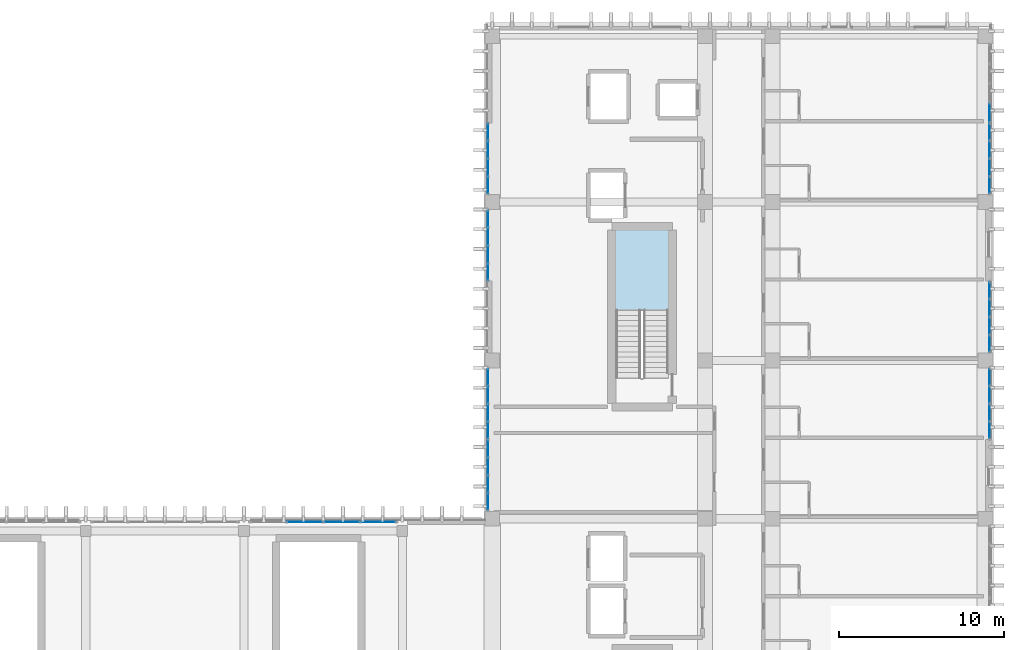
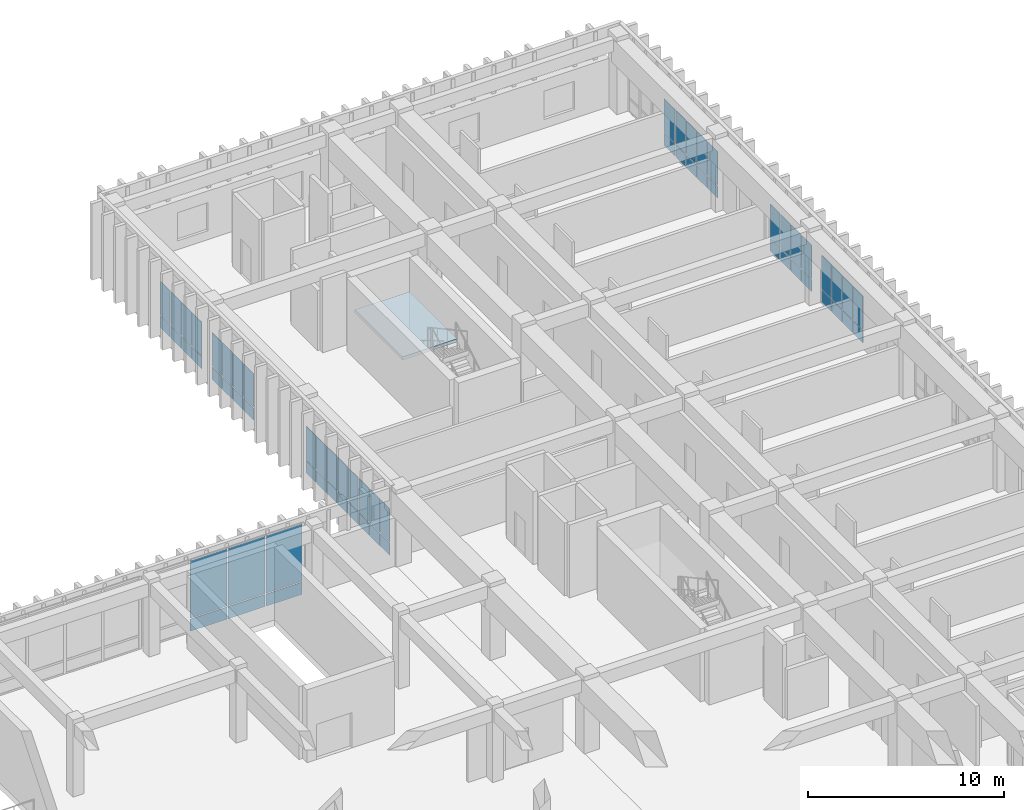
# One storey, part 70 of 101: 64 plates, 1 slab, 10 elements without a shape of their own.
"""IFC4 building model written with IfcOpenShell, lengths in metres."""

import ifcopenshell
import ifcopenshell.guid

model = None  # the IFC model being written
_history = None  # IfcOwnerHistory: only IFC2X3 demands one
_inside = {}  # id of a spatial element -> (the spatial element, [elements in it])
_under = {}  # id of a project, library or spatial element -> (it, [spatial elements below it])
_declared = {}  # id of a project -> (the project, [libraries it declares])
_typed = {}  # id of a type object -> (the type object, [elements of that type])
_made_of = {}  # id of a material, layer set ... -> (it, [elements and type objects made of it])


def new_model(schema):
    """Start an empty IFC model of exactly this schema.

    Asked for "IFC4X3", IfcOpenShell would pick the latest addendum, in which some entities
    have other attributes; the version numbers below select the first issue.
    IFC2X3 requires an IfcOwnerHistory on every rooted entity: one is made here for all.
    """
    global model, _history
    if schema == "IFC4X3":
        model = ifcopenshell.file(schema_version=(4, 3, 0, 0))
    else:
        model = ifcopenshell.file(schema=schema)
    _inside.clear()
    _under.clear()
    _declared.clear()
    _typed.clear()
    _made_of.clear()
    _history = None
    if model.schema == "IFC2X3":
        org = make("IfcOrganization", Name="unknown")
        user = make(
            "IfcPersonAndOrganization",
            ThePerson=make("IfcPerson", FamilyName="unknown"),
            TheOrganization=org,
        )
        app = make(
            "IfcApplication",
            ApplicationDeveloper=org,
            Version="unknown",
            ApplicationFullName="unknown",
            ApplicationIdentifier="unknown",
        )
        _history = make(
            "IfcOwnerHistory",
            OwningUser=user,
            OwningApplication=app,
            ChangeAction="ADDED",
            CreationDate=0,
        )
    return model


def make(cls, **values):
    """One entity of the class cls with the attributes given. An attribute that is None is left unset."""
    return model.create_entity(
        cls, **{name: value for name, value in values.items() if value is not None}
    )


def rooted(cls, **values):
    """An entity with a GlobalId (a new one), such as an element, a storey or a relation."""
    return make(cls, GlobalId=ifcopenshell.guid.new(), OwnerHistory=_history, **values)


def si_unit(unit_type, name, prefix=None):
    """IfcSIUnit, for example si_unit("LENGTHUNIT", "METRE", prefix="MILLI")."""
    return make("IfcSIUnit", UnitType=unit_type, Prefix=prefix, Name=name)


def assignment(units):
    """IfcUnitAssignment: the units of a project."""
    return None if units is None else make("IfcUnitAssignment", Units=units)


def point(xyz):
    """IfcCartesianPoint."""
    return None if xyz is None else make("IfcCartesianPoint", Coordinates=xyz)


def direction(xyz):
    """IfcDirection."""
    return None if xyz is None else make("IfcDirection", DirectionRatios=xyz)


def frame(location, z_axis=None, x_axis=None):
    """IfcAxis2Placement3D, a coordinate frame: its origin and axes. An axis left out is left unset."""
    return make(
        "IfcAxis2Placement3D",
        Location=point(location),
        Axis=direction(z_axis),
        RefDirection=direction(x_axis),
    )


def frame_2d(location, x_axis=None):
    """IfcAxis2Placement2D, a coordinate frame in the plane: its origin and x axis."""
    return make(
        "IfcAxis2Placement2D", Location=point(location), RefDirection=direction(x_axis)
    )


def origin():
    """The frame at (0, 0, 0) with its axes left unset."""
    return frame((0.0, 0.0, 0.0))


def origin_2d():
    """The frame at (0, 0) in the plane with its x axis left unset."""
    return frame_2d((0.0, 0.0))


def place(relative_to, where):
    """IfcLocalPlacement: puts the frame where relative to a parent placement (None: the world)."""
    return make(
        "IfcLocalPlacement", PlacementRelTo=relative_to, RelativePlacement=where
    )


def context(
    kind, dimensions, precision=None, world=None, true_north=None, identifier=None
):
    """IfcGeometricRepresentationContext, for example the 3D "Model" context."""
    return make(
        "IfcGeometricRepresentationContext",
        ContextIdentifier=identifier,
        ContextType=kind,
        CoordinateSpaceDimension=dimensions,
        Precision=precision,
        WorldCoordinateSystem=world,
        TrueNorth=true_north,
    )


def subcontext(parent, identifier, kind, view, scale=None):
    """IfcGeometricRepresentationSubContext, for example "Body" below "Model"."""
    return make(
        "IfcGeometricRepresentationSubContext",
        ContextIdentifier=identifier,
        ContextType=kind,
        ParentContext=parent,
        TargetScale=scale,
        TargetView=view,
    )


def project(units=None, contexts=None):
    """IfcProject with its units and contexts."""
    return rooted(
        "IfcProject",
        Name="project",
        RepresentationContexts=contexts,
        UnitsInContext=assignment(units),
    )


def spatial(cls, under=None, at=None, **own):
    """A site, building, storey or space (cls), placed at a placement, below another one or the project."""
    s = rooted(cls, ObjectPlacement=at, **own)
    if under is not None:
        _under.setdefault(under.id(), (under, []))[1].append(s)
    return s


def polyline(points):
    """IfcPolyline through the points."""
    return make("IfcPolyline", Points=[point(p) for p in points])


def profile(cls, at=None, kind="AREA", **sizes):
    """A parametric profile (cls). Its sizes go by their IFC names, for example OverallWidth=200.0."""
    return make(cls, ProfileType=kind, Position=at, **sizes)


def rectangle(**sizes):
    """IfcRectangleProfileDef."""
    return profile("IfcRectangleProfileDef", **sizes)


def outline(outer, holes=None, kind="AREA"):
    """IfcArbitraryClosedProfileDef: a profile drawn as a closed curve; with holes, ...WithVoids."""
    if holes is None:
        return make("IfcArbitraryClosedProfileDef", ProfileType=kind, OuterCurve=outer)
    return make(
        "IfcArbitraryProfileDefWithVoids",
        ProfileType=kind,
        OuterCurve=outer,
        InnerCurves=holes,
    )


def extrude(swept, where, along, depth):
    """IfcExtrudedAreaSolid: the profile swept, set in the frame where, extruded along a direction by depth."""
    return make(
        "IfcExtrudedAreaSolid",
        SweptArea=swept,
        Position=where,
        ExtrudedDirection=direction(along),
        Depth=depth,
    )


def shape(context_of_items, identifier, shape_type, items):
    """IfcShapeRepresentation: the items that make up one representation, for example the "Body"."""
    return make(
        "IfcShapeRepresentation",
        ContextOfItems=context_of_items,
        RepresentationIdentifier=identifier,
        RepresentationType=shape_type,
        Items=items,
    )


def material(Name=None, Category=None):
    """IfcMaterial."""
    return make("IfcMaterial", Name=Name, Category=Category)


def layer(
    of_material, thickness, ventilated=None, Name=None, Category=None, Priority=None
):
    """IfcMaterialLayer: one layer of a wall or slab, of a material (None: an air gap)."""
    return make(
        "IfcMaterialLayer",
        Material=of_material,
        LayerThickness=thickness,
        IsVentilated=ventilated,
        Name=Name,
        Category=Category,
        Priority=Priority,
    )


def layer_set(layers, Name=None):
    """IfcMaterialLayerSet."""
    return make("IfcMaterialLayerSet", MaterialLayers=layers, LayerSetName=Name)


def made_of(thing, what):
    """Note that an element or type object is made of a material, layer set ...; save() writes the relation."""
    if what is not None:
        _made_of.setdefault(what.id(), (what, []))[1].append(thing)
    return thing


def type_object(cls, material=None, **own):
    """A type object (cls), such as IfcWallType, which elements share."""
    return made_of(rooted(cls, **own), material)


def element(
    cls,
    number,
    at=None,
    inside=None,
    cuts=None,
    type_object=None,
    material=None,
    context=None,
    identifier="Body",
    shape_type=None,
    held_by="IfcProductDefinitionShape",
    body=None,
    shapes=None,
    **own,
):
    """One element of the class cls, such as IfcWall. Its Tag is "e" and its number.

    at: its placement. inside: the storey or other place that contains it. cuts: it is an
    opening in that element (IfcRelVoidsElement). A single representation is given by context,
    identifier, shape_type and body (its items); several are given by shapes. held_by: the class
    of the entity that holds the representations. save() writes the other relations.
    """
    e = rooted(cls, Tag="e%d" % number, ObjectPlacement=at, **own)
    if body is not None:
        shapes = [shape(context, identifier, shape_type, body)]
    if shapes is not None:
        e.Representation = make(held_by, Representations=shapes)
    if inside is not None:
        _inside.setdefault(inside.id(), (inside, []))[1].append(e)
    if cuts is not None:
        rooted(
            "IfcRelVoidsElement", RelatingBuildingElement=cuts, RelatedOpeningElement=e
        )
    if type_object is not None:
        _typed.setdefault(type_object.id(), (type_object, []))[1].append(e)
    return made_of(e, material)


def aggregate(whole, parts):
    """IfcRelAggregates: a whole, such as a stair, and the parts it consists of."""
    return rooted("IfcRelAggregates", RelatingObject=whole, RelatedObjects=parts)


def save(model, path):
    """Write the relations noted so far, then the file.

    IfcRelAggregates (storeys below a building ...), IfcRelContainedInSpatialStructure (elements
    in a storey), IfcRelDefinesByType, IfcRelAssociatesMaterial and IfcRelDeclares: one each for
    every whole, place, type object, material and project.
    """
    for whole, parts in _under.values():
        aggregate(whole, parts)
    for where, things in _inside.values():
        rooted(
            "IfcRelContainedInSpatialStructure",
            RelatedElements=things,
            RelatingStructure=where,
        )
    for kind, things in _typed.values():
        rooted("IfcRelDefinesByType", RelatedObjects=things, RelatingType=kind)
    for what, things in _made_of.values():
        rooted("IfcRelAssociatesMaterial", RelatedObjects=things, RelatingMaterial=what)
    for by, libraries in _declared.values():
        rooted("IfcRelDeclares", RelatingContext=by, RelatedDefinitions=libraries)
    model.write(path)


model = new_model("IFC4")

# Units and contexts
model_context = context("Model", 3, precision=1e-05, world=origin(), true_north=direction((0.0, 1.0)))
body_context = subcontext(model_context, "Body", "Model", "MODEL_VIEW")
ifc_project = project(units=[si_unit("LENGTHUNIT", "METRE"), si_unit("AREAUNIT", "SQUARE_METRE"), si_unit("VOLUMEUNIT", "CUBIC_METRE"), si_unit("PLANEANGLEUNIT", "RADIAN"), si_unit("MASSUNIT", "GRAM", prefix="KILO")], contexts=[model_context])

# Site, building, storey
site_placement = place(None, origin())
site = spatial("IfcSite", under=ifc_project, at=site_placement, CompositionType="ELEMENT")
building_placement = place(site_placement, origin())
building = spatial("IfcBuilding", under=site, at=building_placement, Name="Nakhvara Creek Congress Hotel", CompositionType="ELEMENT")
storey_placement = place(building_placement, frame((0.0, 0.0, 16.199951171875)))
storey = spatial("IfcBuildingStorey", under=building, at=storey_placement, Name="L03", CompositionType="ELEMENT", Elevation=16.199951171875)

# Curtain wall, plates
ifc_material_1 = material(Name="Bronze-anodised aluminium AW-6063-T6 and double-silver low-E glass", Category="aluminium")
ifc_layer_1 = layer(ifc_material_1, 0.199951171875)
ifc_layer_set_1 = layer_set([ifc_layer_1], Name="Bronze-anodised aluminium AW-6063-T6 and double-silver low-E glass")
curtain_wall_type_1 = type_object("IfcCurtainWallType", Name="CW-HTL-UNIT", PredefinedType="USERDEFINED", material=ifc_layer_set_1)
curtain_wall_1_placement = place(storey_placement, origin())
curtain_wall_1 = element("IfcCurtainWall", 1, at=curtain_wall_1_placement, inside=storey, type_object=curtain_wall_type_1, Name="Curtain Wall CW164", ObjectType="UNITISED", PredefinedType="USERDEFINED")
ifc_material_2 = material(Name="Double-silver solar-control low-E insulated glass", Category="glass")
plate_type_1 = type_object("IfcPlateType", Name="PNL-GLZ-120X250", PredefinedType="CURTAIN_PANEL", material=ifc_material_2)
plate_1_placement = place(storey_placement, frame((149.199951171875, 97.023193359375, 0.065185546875), z_axis=(0.0, 0.0, 1.0), x_axis=(0.0, 1.0, 0.0)))
plate_1 = element("IfcPlate", 2, at=plate_1_placement, type_object=plate_type_1, Name="CW164 panel 1.1", PredefinedType="CURTAIN_PANEL", context=body_context, shape_type="SweptSolid", body=[
    extrude(rectangle(XDim=0.986328125, YDim=0.028076171875, at=origin_2d()), origin(), (0.0, 0.0, 1.0), 0.75244140625),
])
plate_2_placement = place(storey_placement, frame((149.199951171875, 97.023193359375, 0.882568359375), z_axis=(0.0, 0.0, 1.0), x_axis=(0.0, 1.0, 0.0)))
plate_2 = element("IfcPlate", 3, at=plate_2_placement, type_object=plate_type_1, Name="CW164 panel 1.2", PredefinedType="CURTAIN_PANEL", context=body_context, shape_type="SweptSolid", body=[
    extrude(rectangle(XDim=0.986328125, YDim=0.028076171875, at=origin_2d()), origin(), (0.0, 0.0, 1.0), 2.08447265625),
])
plate_3_placement = place(storey_placement, frame((149.199951171875, 98.090576171875, 0.065185546875), z_axis=(0.0, 0.0, 1.0), x_axis=(0.0, 1.0, 0.0)))
plate_3 = element("IfcPlate", 4, at=plate_3_placement, type_object=plate_type_1, Name="CW164 panel 2.1", PredefinedType="CURTAIN_PANEL", context=body_context, shape_type="SweptSolid", body=[
    extrude(rectangle(XDim=1.018798828125, YDim=0.028076171875, at=origin_2d()), origin(), (0.0, 0.0, 1.0), 0.75244140625),
])
plate_4_placement = place(storey_placement, frame((149.199951171875, 98.090576171875, 0.882568359375), z_axis=(0.0, 0.0, 1.0), x_axis=(0.0, 1.0, 0.0)))
plate_4 = element("IfcPlate", 5, at=plate_4_placement, type_object=plate_type_1, Name="CW164 panel 2.2", PredefinedType="CURTAIN_PANEL", context=body_context, shape_type="SweptSolid", body=[
    extrude(rectangle(XDim=1.018798828125, YDim=0.028076171875, at=origin_2d()), origin(), (0.0, 0.0, 1.0), 2.08447265625),
])
plate_5_placement = place(storey_placement, frame((149.199951171875, 99.17431640625, 0.065185546875), z_axis=(0.0, 0.0, 1.0), x_axis=(0.0, 1.0, 0.0)))
plate_5 = element("IfcPlate", 6, at=plate_5_placement, type_object=plate_type_1, Name="CW164 panel 3.1", PredefinedType="CURTAIN_PANEL", context=body_context, shape_type="SweptSolid", body=[
    extrude(rectangle(XDim=1.018798828125, YDim=0.028076171875, at=origin_2d()), origin(), (0.0, 0.0, 1.0), 0.75244140625),
])
plate_6_placement = place(storey_placement, frame((149.199951171875, 99.17431640625, 0.882568359375), z_axis=(0.0, 0.0, 1.0), x_axis=(0.0, 1.0, 0.0)))
plate_6 = element("IfcPlate", 7, at=plate_6_placement, type_object=plate_type_1, Name="CW164 panel 3.2", PredefinedType="CURTAIN_PANEL", context=body_context, shape_type="SweptSolid", body=[
    extrude(rectangle(XDim=1.018798828125, YDim=0.028076171875, at=origin_2d()), origin(), (0.0, 0.0, 1.0), 2.08447265625),
])
plate_7_placement = place(storey_placement, frame((149.199951171875, 100.241943359375, 0.065185546875), z_axis=(0.0, 0.0, 1.0), x_axis=(0.0, 1.0, 0.0)))
plate_7 = element("IfcPlate", 8, at=plate_7_placement, type_object=plate_type_1, Name="CW164 panel 4.1", PredefinedType="CURTAIN_PANEL", context=body_context, shape_type="SweptSolid", body=[
    extrude(rectangle(XDim=0.986328125, YDim=0.028076171875, at=origin_2d()), origin(), (0.0, 0.0, 1.0), 0.75244140625),
])
plate_8_placement = place(storey_placement, frame((149.199951171875, 100.241943359375, 0.882568359375), z_axis=(0.0, 0.0, 1.0), x_axis=(0.0, 1.0, 0.0)))
plate_8 = element("IfcPlate", 9, at=plate_8_placement, type_object=plate_type_1, Name="CW164 panel 4.2", PredefinedType="CURTAIN_PANEL", context=body_context, shape_type="SweptSolid", body=[
    extrude(rectangle(XDim=0.986328125, YDim=0.028076171875, at=origin_2d()), origin(), (0.0, 0.0, 1.0), 2.08447265625),
])
aggregate(curtain_wall_1, [plate_1, plate_2, plate_3, plate_4, plate_5, plate_6, plate_7, plate_8])

curtain_wall_2_placement = place(storey_placement, origin())
curtain_wall_2 = element("IfcCurtainWall", 10, at=curtain_wall_2_placement, inside=storey, type_object=curtain_wall_type_1, Name="Curtain Wall CW167", ObjectType="UNITISED", PredefinedType="USERDEFINED")
plate_9_placement = place(storey_placement, frame((179.60009765625, 109.841796875, 0.065185546875), z_axis=(0.0, 0.0, 1.0), x_axis=(0.0, -1.0, 0.0)))
plate_9 = element("IfcPlate", 11, at=plate_9_placement, type_object=plate_type_1, Name="CW167 panel 1.1", PredefinedType="CURTAIN_PANEL", context=body_context, shape_type="SweptSolid", body=[
    extrude(rectangle(XDim=0.986328125, YDim=0.028076171875, at=origin_2d()), origin(), (0.0, 0.0, 1.0), 0.75244140625),
])
plate_10_placement = place(storey_placement, frame((179.60009765625, 109.841796875, 0.882568359375), z_axis=(0.0, 0.0, 1.0), x_axis=(0.0, -1.0, 0.0)))
plate_10 = element("IfcPlate", 12, at=plate_10_placement, type_object=plate_type_1, Name="CW167 panel 1.2", PredefinedType="CURTAIN_PANEL", context=body_context, shape_type="SweptSolid", body=[
    extrude(rectangle(XDim=0.986328125, YDim=0.028076171875, at=origin_2d()), origin(), (0.0, 0.0, 1.0), 2.08447265625),
])
plate_11_placement = place(storey_placement, frame((179.60009765625, 108.7744140625, 0.065185546875), z_axis=(0.0, 0.0, 1.0), x_axis=(0.0, -1.0, 0.0)))
plate_11 = element("IfcPlate", 13, at=plate_11_placement, type_object=plate_type_1, Name="CW167 panel 2.1", PredefinedType="CURTAIN_PANEL", context=body_context, shape_type="SweptSolid", body=[
    extrude(rectangle(XDim=1.018798828125, YDim=0.028076171875, at=origin_2d()), origin(), (0.0, 0.0, 1.0), 0.75244140625),
])
plate_12_placement = place(storey_placement, frame((179.60009765625, 108.7744140625, 0.882568359375), z_axis=(0.0, 0.0, 1.0), x_axis=(0.0, -1.0, 0.0)))
plate_12 = element("IfcPlate", 14, at=plate_12_placement, type_object=plate_type_1, Name="CW167 panel 2.2", PredefinedType="CURTAIN_PANEL", context=body_context, shape_type="SweptSolid", body=[
    extrude(rectangle(XDim=1.018798828125, YDim=0.028076171875, at=origin_2d()), origin(), (0.0, 0.0, 1.0), 2.08447265625),
])
plate_13_placement = place(storey_placement, frame((179.60009765625, 107.690673828125, 0.065185546875), z_axis=(0.0, 0.0, 1.0), x_axis=(0.0, -1.0, 0.0)))
plate_13 = element("IfcPlate", 15, at=plate_13_placement, type_object=plate_type_1, Name="CW167 panel 3.1", PredefinedType="CURTAIN_PANEL", context=body_context, shape_type="SweptSolid", body=[
    extrude(rectangle(XDim=1.018798828125, YDim=0.028076171875, at=origin_2d()), origin(), (0.0, 0.0, 1.0), 0.75244140625),
])
plate_14_placement = place(storey_placement, frame((179.60009765625, 107.690673828125, 0.882568359375), z_axis=(0.0, 0.0, 1.0), x_axis=(0.0, -1.0, 0.0)))
plate_14 = element("IfcPlate", 16, at=plate_14_placement, type_object=plate_type_1, Name="CW167 panel 3.2", PredefinedType="CURTAIN_PANEL", context=body_context, shape_type="SweptSolid", body=[
    extrude(rectangle(XDim=1.018798828125, YDim=0.028076171875, at=origin_2d()), origin(), (0.0, 0.0, 1.0), 2.08447265625),
])
plate_15_placement = place(storey_placement, frame((179.60009765625, 106.623046875, 0.065185546875), z_axis=(0.0, 0.0, 1.0), x_axis=(0.0, -1.0, 0.0)))
plate_15 = element("IfcPlate", 17, at=plate_15_placement, type_object=plate_type_1, Name="CW167 panel 4.1", PredefinedType="CURTAIN_PANEL", context=body_context, shape_type="SweptSolid", body=[
    extrude(rectangle(XDim=0.986328125, YDim=0.028076171875, at=origin_2d()), origin(), (0.0, 0.0, 1.0), 0.75244140625),
])
plate_16_placement = place(storey_placement, frame((179.60009765625, 106.623046875, 0.882568359375), z_axis=(0.0, 0.0, 1.0), x_axis=(0.0, -1.0, 0.0)))
plate_16 = element("IfcPlate", 18, at=plate_16_placement, type_object=plate_type_1, Name="CW167 panel 4.2", PredefinedType="CURTAIN_PANEL", context=body_context, shape_type="SweptSolid", body=[
    extrude(rectangle(XDim=0.986328125, YDim=0.028076171875, at=origin_2d()), origin(), (0.0, 0.0, 1.0), 2.08447265625),
])
aggregate(curtain_wall_2, [plate_9, plate_10, plate_11, plate_12, plate_13, plate_14, plate_15, plate_16])

curtain_wall_3_placement = place(storey_placement, origin())
curtain_wall_3 = element("IfcCurtainWall", 19, at=curtain_wall_3_placement, inside=storey, type_object=curtain_wall_type_1, Name="Curtain Wall CW168", ObjectType="UNITISED", PredefinedType="USERDEFINED")
plate_17_placement = place(storey_placement, frame((149.199951171875, 110.9580078125, 0.065185546875), z_axis=(0.0, 0.0, 1.0), x_axis=(0.0, 1.0, 0.0)))
plate_17 = element("IfcPlate", 20, at=plate_17_placement, type_object=plate_type_1, Name="CW168 panel 1.1", PredefinedType="CURTAIN_PANEL", context=body_context, shape_type="SweptSolid", body=[
    extrude(rectangle(XDim=0.986328125, YDim=0.028076171875, at=origin_2d()), origin(), (0.0, 0.0, 1.0), 0.75244140625),
])
plate_18_placement = place(storey_placement, frame((149.199951171875, 110.9580078125, 0.882568359375), z_axis=(0.0, 0.0, 1.0), x_axis=(0.0, 1.0, 0.0)))
plate_18 = element("IfcPlate", 21, at=plate_18_placement, type_object=plate_type_1, Name="CW168 panel 1.2", PredefinedType="CURTAIN_PANEL", context=body_context, shape_type="SweptSolid", body=[
    extrude(rectangle(XDim=0.986328125, YDim=0.028076171875, at=origin_2d()), origin(), (0.0, 0.0, 1.0), 2.08447265625),
])
plate_19_placement = place(storey_placement, frame((149.199951171875, 112.025634765625, 0.065185546875), z_axis=(0.0, 0.0, 1.0), x_axis=(0.0, 1.0, 0.0)))
plate_19 = element("IfcPlate", 22, at=plate_19_placement, type_object=plate_type_1, Name="CW168 panel 2.1", PredefinedType="CURTAIN_PANEL", context=body_context, shape_type="SweptSolid", body=[
    extrude(rectangle(XDim=1.018798828125, YDim=0.028076171875, at=origin_2d()), origin(), (0.0, 0.0, 1.0), 0.75244140625),
])
plate_20_placement = place(storey_placement, frame((149.199951171875, 112.025634765625, 0.882568359375), z_axis=(0.0, 0.0, 1.0), x_axis=(0.0, 1.0, 0.0)))
plate_20 = element("IfcPlate", 23, at=plate_20_placement, type_object=plate_type_1, Name="CW168 panel 2.2", PredefinedType="CURTAIN_PANEL", context=body_context, shape_type="SweptSolid", body=[
    extrude(rectangle(XDim=1.018798828125, YDim=0.028076171875, at=origin_2d()), origin(), (0.0, 0.0, 1.0), 2.08447265625),
])
plate_21_placement = place(storey_placement, frame((149.199951171875, 113.109375, 0.065185546875), z_axis=(0.0, 0.0, 1.0), x_axis=(0.0, 1.0, 0.0)))
plate_21 = element("IfcPlate", 24, at=plate_21_placement, type_object=plate_type_1, Name="CW168 panel 3.1", PredefinedType="CURTAIN_PANEL", context=body_context, shape_type="SweptSolid", body=[
    extrude(rectangle(XDim=1.018798828125, YDim=0.028076171875, at=origin_2d()), origin(), (0.0, 0.0, 1.0), 0.75244140625),
])
plate_22_placement = place(storey_placement, frame((149.199951171875, 113.109375, 0.882568359375), z_axis=(0.0, 0.0, 1.0), x_axis=(0.0, 1.0, 0.0)))
plate_22 = element("IfcPlate", 25, at=plate_22_placement, type_object=plate_type_1, Name="CW168 panel 3.2", PredefinedType="CURTAIN_PANEL", context=body_context, shape_type="SweptSolid", body=[
    extrude(rectangle(XDim=1.018798828125, YDim=0.028076171875, at=origin_2d()), origin(), (0.0, 0.0, 1.0), 2.08447265625),
])
plate_23_placement = place(storey_placement, frame((149.199951171875, 114.1767578125, 0.065185546875), z_axis=(0.0, 0.0, 1.0), x_axis=(0.0, 1.0, 0.0)))
plate_23 = element("IfcPlate", 26, at=plate_23_placement, type_object=plate_type_1, Name="CW168 panel 4.1", PredefinedType="CURTAIN_PANEL", context=body_context, shape_type="SweptSolid", body=[
    extrude(rectangle(XDim=0.986328125, YDim=0.028076171875, at=origin_2d()), origin(), (0.0, 0.0, 1.0), 0.75244140625),
])
plate_24_placement = place(storey_placement, frame((149.199951171875, 114.1767578125, 0.882568359375), z_axis=(0.0, 0.0, 1.0), x_axis=(0.0, 1.0, 0.0)))
plate_24 = element("IfcPlate", 27, at=plate_24_placement, type_object=plate_type_1, Name="CW168 panel 4.2", PredefinedType="CURTAIN_PANEL", context=body_context, shape_type="SweptSolid", body=[
    extrude(rectangle(XDim=0.986328125, YDim=0.028076171875, at=origin_2d()), origin(), (0.0, 0.0, 1.0), 2.08447265625),
])
aggregate(curtain_wall_3, [plate_17, plate_18, plate_19, plate_20, plate_21, plate_22, plate_23, plate_24])

curtain_wall_4_placement = place(storey_placement, origin())
curtain_wall_4 = element("IfcCurtainWall", 28, at=curtain_wall_4_placement, inside=storey, type_object=curtain_wall_type_1, Name="Curtain Wall CW169", ObjectType="UNITISED", PredefinedType="USERDEFINED")
plate_25_placement = place(storey_placement, frame((179.60009765625, 119.44189453125, 0.065185546875), z_axis=(0.0, 0.0, 1.0), x_axis=(0.0, -1.0, 0.0)))
plate_25 = element("IfcPlate", 29, at=plate_25_placement, type_object=plate_type_1, Name="CW169 panel 1.1", PredefinedType="CURTAIN_PANEL", context=body_context, shape_type="SweptSolid", body=[
    extrude(rectangle(XDim=0.986328125, YDim=0.028076171875, at=origin_2d()), origin(), (0.0, 0.0, 1.0), 0.75244140625),
])
plate_26_placement = place(storey_placement, frame((179.60009765625, 119.44189453125, 0.882568359375), z_axis=(0.0, 0.0, 1.0), x_axis=(0.0, -1.0, 0.0)))
plate_26 = element("IfcPlate", 30, at=plate_26_placement, type_object=plate_type_1, Name="CW169 panel 1.2", PredefinedType="CURTAIN_PANEL", context=body_context, shape_type="SweptSolid", body=[
    extrude(rectangle(XDim=0.986328125, YDim=0.028076171875, at=origin_2d()), origin(), (0.0, 0.0, 1.0), 2.08447265625),
])
plate_27_placement = place(storey_placement, frame((179.60009765625, 118.374267578125, 0.065185546875), z_axis=(0.0, 0.0, 1.0), x_axis=(0.0, -1.0, 0.0)))
plate_27 = element("IfcPlate", 31, at=plate_27_placement, type_object=plate_type_1, Name="CW169 panel 2.1", PredefinedType="CURTAIN_PANEL", context=body_context, shape_type="SweptSolid", body=[
    extrude(rectangle(XDim=1.018798828125, YDim=0.028076171875, at=origin_2d()), origin(), (0.0, 0.0, 1.0), 0.75244140625),
])
plate_28_placement = place(storey_placement, frame((179.60009765625, 118.374267578125, 0.882568359375), z_axis=(0.0, 0.0, 1.0), x_axis=(0.0, -1.0, 0.0)))
plate_28 = element("IfcPlate", 32, at=plate_28_placement, type_object=plate_type_1, Name="CW169 panel 2.2", PredefinedType="CURTAIN_PANEL", context=body_context, shape_type="SweptSolid", body=[
    extrude(rectangle(XDim=1.018798828125, YDim=0.028076171875, at=origin_2d()), origin(), (0.0, 0.0, 1.0), 2.08447265625),
])
plate_29_placement = place(storey_placement, frame((179.60009765625, 117.29052734375, 0.065185546875), z_axis=(0.0, 0.0, 1.0), x_axis=(0.0, -1.0, 0.0)))
plate_29 = element("IfcPlate", 33, at=plate_29_placement, type_object=plate_type_1, Name="CW169 panel 3.1", PredefinedType="CURTAIN_PANEL", context=body_context, shape_type="SweptSolid", body=[
    extrude(rectangle(XDim=1.018798828125, YDim=0.028076171875, at=origin_2d()), origin(), (0.0, 0.0, 1.0), 0.75244140625),
])
plate_30_placement = place(storey_placement, frame((179.60009765625, 117.29052734375, 0.882568359375), z_axis=(0.0, 0.0, 1.0), x_axis=(0.0, -1.0, 0.0)))
plate_30 = element("IfcPlate", 34, at=plate_30_placement, type_object=plate_type_1, Name="CW169 panel 3.2", PredefinedType="CURTAIN_PANEL", context=body_context, shape_type="SweptSolid", body=[
    extrude(rectangle(XDim=1.018798828125, YDim=0.028076171875, at=origin_2d()), origin(), (0.0, 0.0, 1.0), 2.08447265625),
])
plate_31_placement = place(storey_placement, frame((179.60009765625, 116.22314453125, 0.065185546875), z_axis=(0.0, 0.0, 1.0), x_axis=(0.0, -1.0, 0.0)))
plate_31 = element("IfcPlate", 35, at=plate_31_placement, type_object=plate_type_1, Name="CW169 panel 4.1", PredefinedType="CURTAIN_PANEL", context=body_context, shape_type="SweptSolid", body=[
    extrude(rectangle(XDim=0.986328125, YDim=0.028076171875, at=origin_2d()), origin(), (0.0, 0.0, 1.0), 0.75244140625),
])
plate_32_placement = place(storey_placement, frame((179.60009765625, 116.22314453125, 0.882568359375), z_axis=(0.0, 0.0, 1.0), x_axis=(0.0, -1.0, 0.0)))
plate_32 = element("IfcPlate", 36, at=plate_32_placement, type_object=plate_type_1, Name="CW169 panel 4.2", PredefinedType="CURTAIN_PANEL", context=body_context, shape_type="SweptSolid", body=[
    extrude(rectangle(XDim=0.986328125, YDim=0.028076171875, at=origin_2d()), origin(), (0.0, 0.0, 1.0), 2.08447265625),
])
aggregate(curtain_wall_4, [plate_25, plate_26, plate_27, plate_28, plate_29, plate_30, plate_31, plate_32])

curtain_wall_5_placement = place(storey_placement, origin())
curtain_wall_5 = element("IfcCurtainWall", 37, at=curtain_wall_5_placement, inside=storey, type_object=curtain_wall_type_1, Name="Curtain Wall CW170", ObjectType="UNITISED", PredefinedType="USERDEFINED")
plate_33_placement = place(storey_placement, frame((149.199951171875, 116.22314453125, 0.065185546875), z_axis=(0.0, 0.0, 1.0), x_axis=(0.0, 1.0, 0.0)))
plate_33 = element("IfcPlate", 38, at=plate_33_placement, type_object=plate_type_1, Name="CW170 panel 1.1", PredefinedType="CURTAIN_PANEL", context=body_context, shape_type="SweptSolid", body=[
    extrude(rectangle(XDim=0.986328125, YDim=0.028076171875, at=origin_2d()), origin(), (0.0, 0.0, 1.0), 0.75244140625),
])
plate_34_placement = place(storey_placement, frame((149.199951171875, 116.22314453125, 0.882568359375), z_axis=(0.0, 0.0, 1.0), x_axis=(0.0, 1.0, 0.0)))
plate_34 = element("IfcPlate", 39, at=plate_34_placement, type_object=plate_type_1, Name="CW170 panel 1.2", PredefinedType="CURTAIN_PANEL", context=body_context, shape_type="SweptSolid", body=[
    extrude(rectangle(XDim=0.986328125, YDim=0.028076171875, at=origin_2d()), origin(), (0.0, 0.0, 1.0), 2.08447265625),
])
plate_35_placement = place(storey_placement, frame((149.199951171875, 117.29052734375, 0.065185546875), z_axis=(0.0, 0.0, 1.0), x_axis=(0.0, 1.0, 0.0)))
plate_35 = element("IfcPlate", 40, at=plate_35_placement, type_object=plate_type_1, Name="CW170 panel 2.1", PredefinedType="CURTAIN_PANEL", context=body_context, shape_type="SweptSolid", body=[
    extrude(rectangle(XDim=1.018798828125, YDim=0.028076171875, at=origin_2d()), origin(), (0.0, 0.0, 1.0), 0.75244140625),
])
plate_36_placement = place(storey_placement, frame((149.199951171875, 117.29052734375, 0.882568359375), z_axis=(0.0, 0.0, 1.0), x_axis=(0.0, 1.0, 0.0)))
plate_36 = element("IfcPlate", 41, at=plate_36_placement, type_object=plate_type_1, Name="CW170 panel 2.2", PredefinedType="CURTAIN_PANEL", context=body_context, shape_type="SweptSolid", body=[
    extrude(rectangle(XDim=1.018798828125, YDim=0.028076171875, at=origin_2d()), origin(), (0.0, 0.0, 1.0), 2.08447265625),
])
plate_37_placement = place(storey_placement, frame((149.199951171875, 118.374267578125, 0.065185546875), z_axis=(0.0, 0.0, 1.0), x_axis=(0.0, 1.0, 0.0)))
plate_37 = element("IfcPlate", 42, at=plate_37_placement, type_object=plate_type_1, Name="CW170 panel 3.1", PredefinedType="CURTAIN_PANEL", context=body_context, shape_type="SweptSolid", body=[
    extrude(rectangle(XDim=1.018798828125, YDim=0.028076171875, at=origin_2d()), origin(), (0.0, 0.0, 1.0), 0.75244140625),
])
plate_38_placement = place(storey_placement, frame((149.199951171875, 118.374267578125, 0.882568359375), z_axis=(0.0, 0.0, 1.0), x_axis=(0.0, 1.0, 0.0)))
plate_38 = element("IfcPlate", 43, at=plate_38_placement, type_object=plate_type_1, Name="CW170 panel 3.2", PredefinedType="CURTAIN_PANEL", context=body_context, shape_type="SweptSolid", body=[
    extrude(rectangle(XDim=1.018798828125, YDim=0.028076171875, at=origin_2d()), origin(), (0.0, 0.0, 1.0), 2.08447265625),
])
plate_39_placement = place(storey_placement, frame((149.199951171875, 119.44189453125, 0.065185546875), z_axis=(0.0, 0.0, 1.0), x_axis=(0.0, 1.0, 0.0)))
plate_39 = element("IfcPlate", 44, at=plate_39_placement, type_object=plate_type_1, Name="CW170 panel 4.1", PredefinedType="CURTAIN_PANEL", context=body_context, shape_type="SweptSolid", body=[
    extrude(rectangle(XDim=0.986328125, YDim=0.028076171875, at=origin_2d()), origin(), (0.0, 0.0, 1.0), 0.75244140625),
])
plate_40_placement = place(storey_placement, frame((149.199951171875, 119.44189453125, 0.882568359375), z_axis=(0.0, 0.0, 1.0), x_axis=(0.0, 1.0, 0.0)))
plate_40 = element("IfcPlate", 45, at=plate_40_placement, type_object=plate_type_1, Name="CW170 panel 4.2", PredefinedType="CURTAIN_PANEL", context=body_context, shape_type="SweptSolid", body=[
    extrude(rectangle(XDim=0.986328125, YDim=0.028076171875, at=origin_2d()), origin(), (0.0, 0.0, 1.0), 2.08447265625),
])
aggregate(curtain_wall_5, [plate_33, plate_34, plate_35, plate_36, plate_37, plate_38, plate_39, plate_40])

curtain_wall_6_placement = place(storey_placement, origin())
curtain_wall_6 = element("IfcCurtainWall", 46, at=curtain_wall_6_placement, inside=storey, type_object=curtain_wall_type_1, Name="Curtain Wall CW171", ObjectType="UNITISED", PredefinedType="USERDEFINED")
plate_41_placement = place(storey_placement, frame((179.60009765625, 120.6142578125, 0.065185546875), z_axis=(0.0, 0.0, 1.0), x_axis=(0.0, -1.0, 0.0)))
plate_41 = element("IfcPlate", 47, at=plate_41_placement, type_object=plate_type_1, Name="CW171 panel 4.1", PredefinedType="CURTAIN_PANEL", context=body_context, shape_type="SweptSolid", body=[
    extrude(rectangle(XDim=1.0986328125, YDim=0.028076171875, at=origin_2d()), origin(), (0.0, 0.0, 1.0), 0.75244140625),
])
plate_42_placement = place(storey_placement, frame((179.60009765625, 120.6142578125, 0.882568359375), z_axis=(0.0, 0.0, 1.0), x_axis=(0.0, -1.0, 0.0)))
plate_42 = element("IfcPlate", 48, at=plate_42_placement, type_object=plate_type_1, Name="CW171 panel 4.2", PredefinedType="CURTAIN_PANEL", context=body_context, shape_type="SweptSolid", body=[
    extrude(rectangle(XDim=1.0986328125, YDim=0.028076171875, at=origin_2d()), origin(), (0.0, 0.0, 1.0), 2.08447265625),
])
aggregate(curtain_wall_6, [plate_41, plate_42])

ifc_layer_2 = layer(ifc_material_1, 0.199951171875)
ifc_layer_set_2 = layer_set([ifc_layer_2], Name="Bronze-anodised aluminium AW-6063-T6 and double-silver low-E glass")
curtain_wall_type_2 = type_object("IfcCurtainWallType", Name="CW-POD-STICK", PredefinedType="NOTDEFINED", material=ifc_layer_set_2)
curtain_wall_7_placement = place(storey_placement, origin())
curtain_wall_7 = element("IfcCurtainWall", 49, at=curtain_wall_7_placement, inside=storey, type_object=curtain_wall_type_2, Name="Curtain Wall CW105", PredefinedType="NOTDEFINED")
plate_type_2 = type_object("IfcPlateType", Name="PNL-GLZ-240X260", PredefinedType="CURTAIN_PANEL", material=ifc_material_2)
plate_43_placement = place(storey_placement, frame((138.0849609375, 95.800048828125, 0.065185546875), z_axis=(0.0, 0.0, 1.0), x_axis=(1.0, 0.0, 0.0)))
plate_43 = element("IfcPlate", 50, at=plate_43_placement, type_object=plate_type_2, Name="CW105 panel 2.1", PredefinedType="CURTAIN_PANEL", context=body_context, shape_type="SweptSolid", body=[
    extrude(rectangle(XDim=2.1650390625, YDim=0.030029296875, at=origin_2d()), origin(), (0.0, 0.0, 1.0), 0.75244140625),
])
plate_44_placement = place(storey_placement, frame((138.0849609375, 95.800048828125, 0.882568359375), z_axis=(0.0, 0.0, 1.0), x_axis=(1.0, 0.0, 0.0)))
plate_44 = element("IfcPlate", 51, at=plate_44_placement, type_object=plate_type_2, Name="CW105 panel 2.2", PredefinedType="CURTAIN_PANEL", context=body_context, shape_type="SweptSolid", body=[
    extrude(rectangle(XDim=2.1650390625, YDim=0.030029296875, at=origin_2d()), origin(), (0.0, 0.0, 1.0), 3.5625),
])
plate_45_placement = place(storey_placement, frame((140.31494140625, 95.800048828125, 0.065185546875), z_axis=(0.0, 0.0, 1.0), x_axis=(1.0, 0.0, 0.0)))
plate_45 = element("IfcPlate", 52, at=plate_45_placement, type_object=plate_type_2, Name="CW105 panel 3.1", PredefinedType="CURTAIN_PANEL", context=body_context, shape_type="SweptSolid", body=[
    extrude(rectangle(XDim=2.1650390625, YDim=0.030029296875, at=origin_2d()), origin(), (0.0, 0.0, 1.0), 0.75244140625),
])
plate_46_placement = place(storey_placement, frame((140.31494140625, 95.800048828125, 0.882568359375), z_axis=(0.0, 0.0, 1.0), x_axis=(1.0, 0.0, 0.0)))
plate_46 = element("IfcPlate", 53, at=plate_46_placement, type_object=plate_type_2, Name="CW105 panel 3.2", PredefinedType="CURTAIN_PANEL", context=body_context, shape_type="SweptSolid", body=[
    extrude(rectangle(XDim=2.1650390625, YDim=0.030029296875, at=origin_2d()), origin(), (0.0, 0.0, 1.0), 3.5625),
])
plate_47_placement = place(storey_placement, frame((142.52880859375, 95.800048828125, 0.065185546875), z_axis=(0.0, 0.0, 1.0), x_axis=(1.0, 0.0, 0.0)))
plate_47 = element("IfcPlate", 54, at=plate_47_placement, type_object=plate_type_2, Name="CW105 panel 4.1", PredefinedType="CURTAIN_PANEL", context=body_context, shape_type="SweptSolid", body=[
    extrude(rectangle(XDim=2.132568359375, YDim=0.030029296875, at=origin_2d()), origin(), (0.0, 0.0, 1.0), 0.75244140625),
])
plate_48_placement = place(storey_placement, frame((142.52880859375, 95.800048828125, 0.882568359375), z_axis=(0.0, 0.0, 1.0), x_axis=(1.0, 0.0, 0.0)))
plate_48 = element("IfcPlate", 55, at=plate_48_placement, type_object=plate_type_2, Name="CW105 panel 4.2", PredefinedType="CURTAIN_PANEL", context=body_context, shape_type="SweptSolid", body=[
    extrude(rectangle(XDim=2.132568359375, YDim=0.030029296875, at=origin_2d()), origin(), (0.0, 0.0, 1.0), 3.5625),
])
aggregate(curtain_wall_7, [plate_43, plate_44, plate_45, plate_46, plate_47, plate_48])

curtain_wall_8_placement = place(storey_placement, origin())
curtain_wall_8 = element("IfcCurtainWall", 56, at=curtain_wall_8_placement, inside=storey, type_object=curtain_wall_type_1, Name="Curtain Wall CW165", ObjectType="UNITISED", PredefinedType="USERDEFINED")
ifc_material_3 = material(Name="Back-insulated bronze spandrel glass panel", Category="glass")
plate_type_3 = type_object("IfcPlateType", Name="PNL-SPN-120X080", PredefinedType="CURTAIN_PANEL", material=ifc_material_3)
plate_49_placement = place(storey_placement, frame((179.60009765625, 104.576904296875, 0.065185546875), z_axis=(0.0, 0.0, 1.0), x_axis=(0.0, -1.0, 0.0)))
plate_49 = element("IfcPlate", 57, at=plate_49_placement, type_object=plate_type_3, Name="CW165 panel 1.1", PredefinedType="CURTAIN_PANEL", context=body_context, shape_type="SweptSolid", body=[
    extrude(rectangle(XDim=0.986328125, YDim=0.0419921875, at=origin_2d()), origin(), (0.0, 0.0, 1.0), 0.75244140625),
])
plate_50_placement = place(storey_placement, frame((179.60009765625, 104.576904296875, 0.882568359375), z_axis=(0.0, 0.0, 1.0), x_axis=(0.0, -1.0, 0.0)))
plate_50 = element("IfcPlate", 58, at=plate_50_placement, type_object=plate_type_3, Name="CW165 panel 1.2", PredefinedType="CURTAIN_PANEL", context=body_context, shape_type="SweptSolid", body=[
    extrude(rectangle(XDim=0.986328125, YDim=0.0419921875, at=origin_2d()), origin(), (0.0, 0.0, 1.0), 2.08447265625),
])
plate_51_placement = place(storey_placement, frame((179.60009765625, 103.50927734375, 0.065185546875), z_axis=(0.0, 0.0, 1.0), x_axis=(0.0, -1.0, 0.0)))
plate_51 = element("IfcPlate", 59, at=plate_51_placement, type_object=plate_type_3, Name="CW165 panel 2.1", PredefinedType="CURTAIN_PANEL", context=body_context, shape_type="SweptSolid", body=[
    extrude(rectangle(XDim=1.018798828125, YDim=0.0419921875, at=origin_2d()), origin(), (0.0, 0.0, 1.0), 0.75244140625),
])
plate_52_placement = place(storey_placement, frame((179.60009765625, 103.50927734375, 0.882568359375), z_axis=(0.0, 0.0, 1.0), x_axis=(0.0, -1.0, 0.0)))
plate_52 = element("IfcPlate", 60, at=plate_52_placement, type_object=plate_type_3, Name="CW165 panel 2.2", PredefinedType="CURTAIN_PANEL", context=body_context, shape_type="SweptSolid", body=[
    extrude(rectangle(XDim=1.018798828125, YDim=0.0419921875, at=origin_2d()), origin(), (0.0, 0.0, 1.0), 2.08447265625),
])
plate_53_placement = place(storey_placement, frame((179.60009765625, 102.425537109375, 0.065185546875), z_axis=(0.0, 0.0, 1.0), x_axis=(0.0, -1.0, 0.0)))
plate_53 = element("IfcPlate", 61, at=plate_53_placement, type_object=plate_type_3, Name="CW165 panel 3.1", PredefinedType="CURTAIN_PANEL", context=body_context, shape_type="SweptSolid", body=[
    extrude(rectangle(XDim=1.018798828125, YDim=0.0419921875, at=origin_2d()), origin(), (0.0, 0.0, 1.0), 0.75244140625),
])
plate_54_placement = place(storey_placement, frame((179.60009765625, 102.425537109375, 0.882568359375), z_axis=(0.0, 0.0, 1.0), x_axis=(0.0, -1.0, 0.0)))
plate_54 = element("IfcPlate", 62, at=plate_54_placement, type_object=plate_type_3, Name="CW165 panel 3.2", PredefinedType="CURTAIN_PANEL", context=body_context, shape_type="SweptSolid", body=[
    extrude(rectangle(XDim=1.018798828125, YDim=0.0419921875, at=origin_2d()), origin(), (0.0, 0.0, 1.0), 2.08447265625),
])
plate_55_placement = place(storey_placement, frame((179.60009765625, 101.358154296875, 0.065185546875), z_axis=(0.0, 0.0, 1.0), x_axis=(0.0, -1.0, 0.0)))
plate_55 = element("IfcPlate", 63, at=plate_55_placement, type_object=plate_type_3, Name="CW165 panel 4.1", PredefinedType="CURTAIN_PANEL", context=body_context, shape_type="SweptSolid", body=[
    extrude(rectangle(XDim=0.986328125, YDim=0.0419921875, at=origin_2d()), origin(), (0.0, 0.0, 1.0), 0.75244140625),
])
plate_56_placement = place(storey_placement, frame((179.60009765625, 101.358154296875, 0.882568359375), z_axis=(0.0, 0.0, 1.0), x_axis=(0.0, -1.0, 0.0)))
plate_56 = element("IfcPlate", 64, at=plate_56_placement, type_object=plate_type_3, Name="CW165 panel 4.2", PredefinedType="CURTAIN_PANEL", context=body_context, shape_type="SweptSolid", body=[
    extrude(rectangle(XDim=0.986328125, YDim=0.0419921875, at=origin_2d()), origin(), (0.0, 0.0, 1.0), 2.08447265625),
])
aggregate(curtain_wall_8, [plate_49, plate_50, plate_51, plate_52, plate_53, plate_54, plate_55, plate_56])

curtain_wall_9_placement = place(storey_placement, origin())
curtain_wall_9 = element("IfcCurtainWall", 65, at=curtain_wall_9_placement, inside=storey, type_object=curtain_wall_type_1, Name="Curtain Wall CW166", ObjectType="UNITISED", PredefinedType="USERDEFINED")
plate_57_placement = place(storey_placement, frame((149.199951171875, 101.358154296875, 0.065185546875), z_axis=(0.0, 0.0, 1.0), x_axis=(0.0, 1.0, 0.0)))
plate_57 = element("IfcPlate", 66, at=plate_57_placement, type_object=plate_type_3, Name="CW166 panel 1.1", PredefinedType="CURTAIN_PANEL", context=body_context, shape_type="SweptSolid", body=[
    extrude(rectangle(XDim=0.986328125, YDim=0.0419921875, at=origin_2d()), origin(), (0.0, 0.0, 1.0), 0.75244140625),
])
plate_58_placement = place(storey_placement, frame((149.199951171875, 101.358154296875, 0.882568359375), z_axis=(0.0, 0.0, 1.0), x_axis=(0.0, 1.0, 0.0)))
plate_58 = element("IfcPlate", 67, at=plate_58_placement, type_object=plate_type_3, Name="CW166 panel 1.2", PredefinedType="CURTAIN_PANEL", context=body_context, shape_type="SweptSolid", body=[
    extrude(rectangle(XDim=0.986328125, YDim=0.0419921875, at=origin_2d()), origin(), (0.0, 0.0, 1.0), 2.08447265625),
])
plate_59_placement = place(storey_placement, frame((149.199951171875, 102.425537109375, 0.065185546875), z_axis=(0.0, 0.0, 1.0), x_axis=(0.0, 1.0, 0.0)))
plate_59 = element("IfcPlate", 68, at=plate_59_placement, type_object=plate_type_3, Name="CW166 panel 2.1", PredefinedType="CURTAIN_PANEL", context=body_context, shape_type="SweptSolid", body=[
    extrude(rectangle(XDim=1.018798828125, YDim=0.0419921875, at=origin_2d()), origin(), (0.0, 0.0, 1.0), 0.75244140625),
])
plate_60_placement = place(storey_placement, frame((149.199951171875, 102.425537109375, 0.882568359375), z_axis=(0.0, 0.0, 1.0), x_axis=(0.0, 1.0, 0.0)))
plate_60 = element("IfcPlate", 69, at=plate_60_placement, type_object=plate_type_3, Name="CW166 panel 2.2", PredefinedType="CURTAIN_PANEL", context=body_context, shape_type="SweptSolid", body=[
    extrude(rectangle(XDim=1.018798828125, YDim=0.0419921875, at=origin_2d()), origin(), (0.0, 0.0, 1.0), 2.08447265625),
])
plate_61_placement = place(storey_placement, frame((149.199951171875, 103.50927734375, 0.065185546875), z_axis=(0.0, 0.0, 1.0), x_axis=(0.0, 1.0, 0.0)))
plate_61 = element("IfcPlate", 70, at=plate_61_placement, type_object=plate_type_3, Name="CW166 panel 3.1", PredefinedType="CURTAIN_PANEL", context=body_context, shape_type="SweptSolid", body=[
    extrude(rectangle(XDim=1.018798828125, YDim=0.0419921875, at=origin_2d()), origin(), (0.0, 0.0, 1.0), 0.75244140625),
])
plate_62_placement = place(storey_placement, frame((149.199951171875, 103.50927734375, 0.882568359375), z_axis=(0.0, 0.0, 1.0), x_axis=(0.0, 1.0, 0.0)))
plate_62 = element("IfcPlate", 71, at=plate_62_placement, type_object=plate_type_3, Name="CW166 panel 3.2", PredefinedType="CURTAIN_PANEL", context=body_context, shape_type="SweptSolid", body=[
    extrude(rectangle(XDim=1.018798828125, YDim=0.0419921875, at=origin_2d()), origin(), (0.0, 0.0, 1.0), 2.08447265625),
])
plate_63_placement = place(storey_placement, frame((149.199951171875, 104.576904296875, 0.065185546875), z_axis=(0.0, 0.0, 1.0), x_axis=(0.0, 1.0, 0.0)))
plate_63 = element("IfcPlate", 72, at=plate_63_placement, type_object=plate_type_3, Name="CW166 panel 4.1", PredefinedType="CURTAIN_PANEL", context=body_context, shape_type="SweptSolid", body=[
    extrude(rectangle(XDim=0.986328125, YDim=0.0419921875, at=origin_2d()), origin(), (0.0, 0.0, 1.0), 0.75244140625),
])
plate_64_placement = place(storey_placement, frame((149.199951171875, 104.576904296875, 0.882568359375), z_axis=(0.0, 0.0, 1.0), x_axis=(0.0, 1.0, 0.0)))
plate_64 = element("IfcPlate", 73, at=plate_64_placement, type_object=plate_type_3, Name="CW166 panel 4.2", PredefinedType="CURTAIN_PANEL", context=body_context, shape_type="SweptSolid", body=[
    extrude(rectangle(XDim=0.986328125, YDim=0.0419921875, at=origin_2d()), origin(), (0.0, 0.0, 1.0), 2.08447265625),
])
aggregate(curtain_wall_9, [plate_57, plate_58, plate_59, plate_60, plate_61, plate_62, plate_63, plate_64])

# Stair, slab
ifc_material_4 = material(Name="Concrete C40/50", Category="concrete")
stair_type = type_object("IfcStairType", Name="ST-CORE-160", PredefinedType="HALF_TURN_STAIR", material=ifc_material_4)
stair_placement = place(storey_placement, origin())
stair = element("IfcStair", 74, at=stair_placement, inside=storey, type_object=stair_type, Name="L03 Protected Exit Stair ST02", PredefinedType="HALF_TURN_STAIR")
ifc_layer_3 = layer(ifc_material_4, 0.199951171875)
ifc_layer_set_3 = layer_set([ifc_layer_3], Name="Concrete C40/50")
slab_type = type_object("IfcSlabType", Name="SL-LAND-200", PredefinedType="LANDING", material=ifc_layer_set_3)
slab_placement = place(storey_placement, frame((0.0, 0.0, 2.199951171875)))
slab = element("IfcSlab", 75, at=slab_placement, type_object=slab_type, Name="ST02 landing 1", PredefinedType="LANDING", context=body_context, shape_type="SweptSolid", body=[
    extrude(outline(polyline([(160.14990234375, 108.635009765625), (160.14990234375, 113.5), (156.919921875, 113.5), (156.919921875, 108.635009765625), (160.14990234375, 108.635009765625)])), origin(), (0.0, 0.0, 1.0), 0.2001953125),
])
aggregate(stair, [slab])

save(model, "model.ifc")
